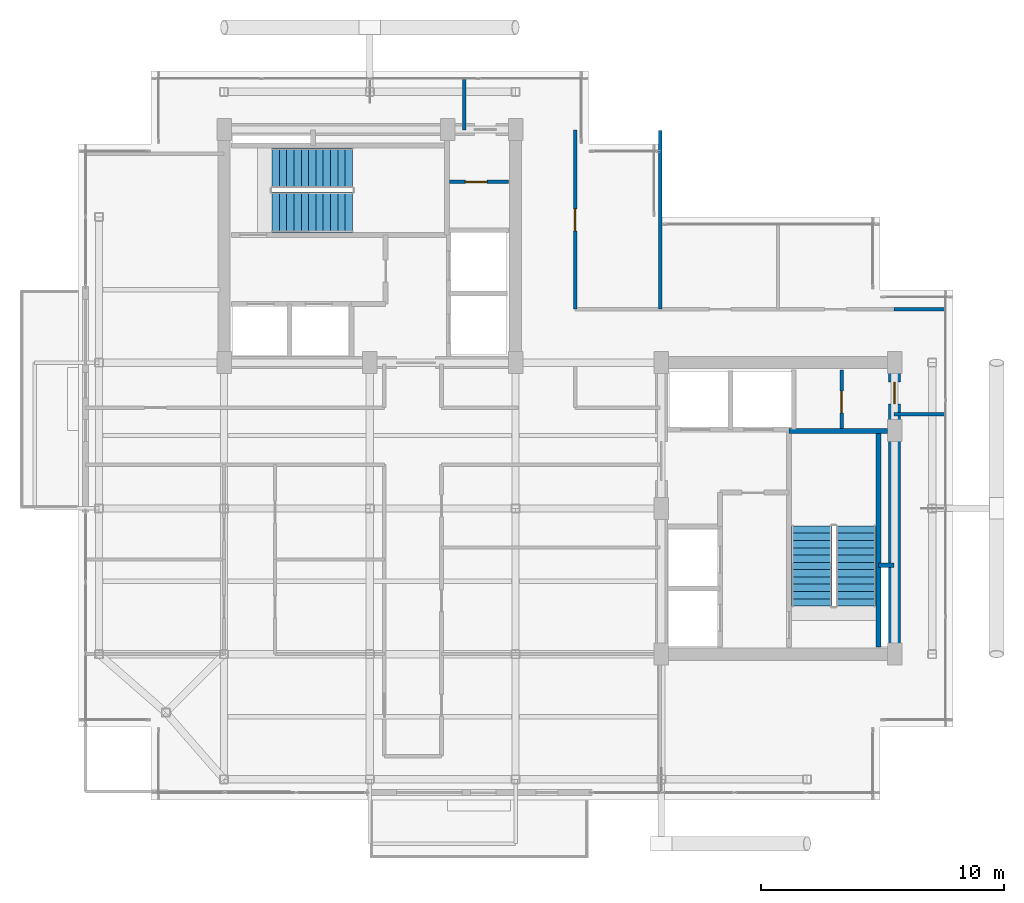
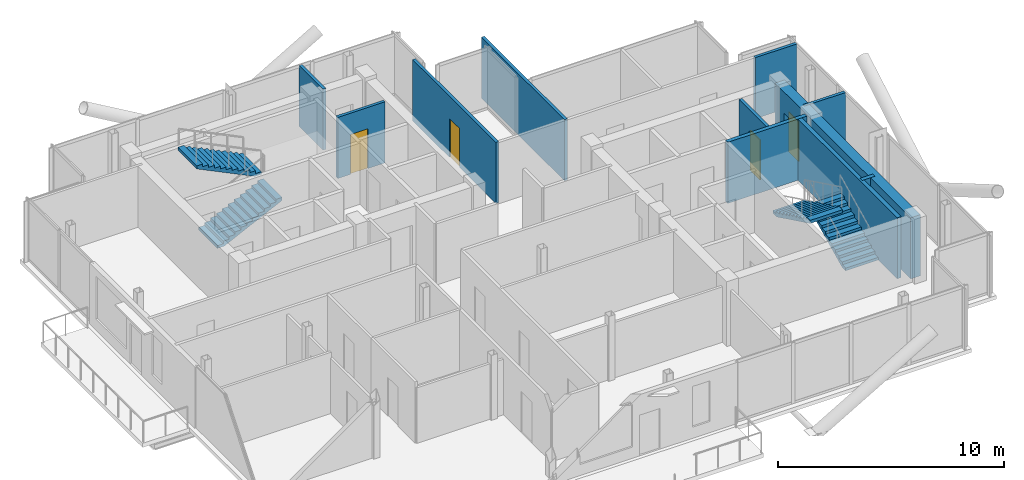
# One storey, part 16 of 18: 11 walls, 4 doors, 4 stair flights, 4 openings, 2 elements without a shape of their own.
"""IFC4 building model written with IfcOpenShell, lengths in metres."""

import ifcopenshell
import ifcopenshell.guid

model = None  # the IFC model being written
_history = None  # IfcOwnerHistory: only IFC2X3 demands one
_inside = {}  # id of a spatial element -> (the spatial element, [elements in it])
_under = {}  # id of a project, library or spatial element -> (it, [spatial elements below it])
_declared = {}  # id of a project -> (the project, [libraries it declares])
_typed = {}  # id of a type object -> (the type object, [elements of that type])
_made_of = {}  # id of a material, layer set ... -> (it, [elements and type objects made of it])


def new_model(schema):
    """Start an empty IFC model of exactly this schema.

    Asked for "IFC4X3", IfcOpenShell would pick the latest addendum, in which some entities
    have other attributes; the version numbers below select the first issue.
    IFC2X3 requires an IfcOwnerHistory on every rooted entity: one is made here for all.
    """
    global model, _history
    if schema == "IFC4X3":
        model = ifcopenshell.file(schema_version=(4, 3, 0, 0))
    else:
        model = ifcopenshell.file(schema=schema)
    _inside.clear()
    _under.clear()
    _declared.clear()
    _typed.clear()
    _made_of.clear()
    _history = None
    if model.schema == "IFC2X3":
        org = make("IfcOrganization", Name="unknown")
        user = make(
            "IfcPersonAndOrganization",
            ThePerson=make("IfcPerson", FamilyName="unknown"),
            TheOrganization=org,
        )
        app = make(
            "IfcApplication",
            ApplicationDeveloper=org,
            Version="unknown",
            ApplicationFullName="unknown",
            ApplicationIdentifier="unknown",
        )
        _history = make(
            "IfcOwnerHistory",
            OwningUser=user,
            OwningApplication=app,
            ChangeAction="ADDED",
            CreationDate=0,
        )
    return model


def make(cls, **values):
    """One entity of the class cls with the attributes given. An attribute that is None is left unset."""
    return model.create_entity(
        cls, **{name: value for name, value in values.items() if value is not None}
    )


def rooted(cls, **values):
    """An entity with a GlobalId (a new one), such as an element, a storey or a relation."""
    return make(cls, GlobalId=ifcopenshell.guid.new(), OwnerHistory=_history, **values)


def si_unit(unit_type, name, prefix=None):
    """IfcSIUnit, for example si_unit("LENGTHUNIT", "METRE", prefix="MILLI")."""
    return make("IfcSIUnit", UnitType=unit_type, Prefix=prefix, Name=name)


def assignment(units):
    """IfcUnitAssignment: the units of a project."""
    return None if units is None else make("IfcUnitAssignment", Units=units)


def point(xyz):
    """IfcCartesianPoint."""
    return None if xyz is None else make("IfcCartesianPoint", Coordinates=xyz)


def direction(xyz):
    """IfcDirection."""
    return None if xyz is None else make("IfcDirection", DirectionRatios=xyz)


def frame(location, z_axis=None, x_axis=None):
    """IfcAxis2Placement3D, a coordinate frame: its origin and axes. An axis left out is left unset."""
    return make(
        "IfcAxis2Placement3D",
        Location=point(location),
        Axis=direction(z_axis),
        RefDirection=direction(x_axis),
    )


def frame_2d(location, x_axis=None):
    """IfcAxis2Placement2D, a coordinate frame in the plane: its origin and x axis."""
    return make(
        "IfcAxis2Placement2D", Location=point(location), RefDirection=direction(x_axis)
    )


def origin():
    """The frame at (0, 0, 0) with its axes left unset."""
    return frame((0.0, 0.0, 0.0))


def place(relative_to, where):
    """IfcLocalPlacement: puts the frame where relative to a parent placement (None: the world)."""
    return make(
        "IfcLocalPlacement", PlacementRelTo=relative_to, RelativePlacement=where
    )


def context(
    kind, dimensions, precision=None, world=None, true_north=None, identifier=None
):
    """IfcGeometricRepresentationContext, for example the 3D "Model" context."""
    return make(
        "IfcGeometricRepresentationContext",
        ContextIdentifier=identifier,
        ContextType=kind,
        CoordinateSpaceDimension=dimensions,
        Precision=precision,
        WorldCoordinateSystem=world,
        TrueNorth=true_north,
    )


def subcontext(parent, identifier, kind, view, scale=None):
    """IfcGeometricRepresentationSubContext, for example "Body" below "Model"."""
    return make(
        "IfcGeometricRepresentationSubContext",
        ContextIdentifier=identifier,
        ContextType=kind,
        ParentContext=parent,
        TargetScale=scale,
        TargetView=view,
    )


def project(units=None, contexts=None):
    """IfcProject with its units and contexts."""
    return rooted(
        "IfcProject",
        Name="project",
        RepresentationContexts=contexts,
        UnitsInContext=assignment(units),
    )


def spatial(cls, under=None, at=None, **own):
    """A site, building, storey or space (cls), placed at a placement, below another one or the project."""
    s = rooted(cls, ObjectPlacement=at, **own)
    if under is not None:
        _under.setdefault(under.id(), (under, []))[1].append(s)
    return s


def polyline(points):
    """IfcPolyline through the points."""
    return make("IfcPolyline", Points=[point(p) for p in points])


def profile(cls, at=None, kind="AREA", **sizes):
    """A parametric profile (cls). Its sizes go by their IFC names, for example OverallWidth=200.0."""
    return make(cls, ProfileType=kind, Position=at, **sizes)


def rectangle(**sizes):
    """IfcRectangleProfileDef."""
    return profile("IfcRectangleProfileDef", **sizes)


def outline(outer, holes=None, kind="AREA"):
    """IfcArbitraryClosedProfileDef: a profile drawn as a closed curve; with holes, ...WithVoids."""
    if holes is None:
        return make("IfcArbitraryClosedProfileDef", ProfileType=kind, OuterCurve=outer)
    return make(
        "IfcArbitraryProfileDefWithVoids",
        ProfileType=kind,
        OuterCurve=outer,
        InnerCurves=holes,
    )


def extrude(swept, where, along, depth):
    """IfcExtrudedAreaSolid: the profile swept, set in the frame where, extruded along a direction by depth."""
    return make(
        "IfcExtrudedAreaSolid",
        SweptArea=swept,
        Position=where,
        ExtrudedDirection=direction(along),
        Depth=depth,
    )


def shape(context_of_items, identifier, shape_type, items):
    """IfcShapeRepresentation: the items that make up one representation, for example the "Body"."""
    return make(
        "IfcShapeRepresentation",
        ContextOfItems=context_of_items,
        RepresentationIdentifier=identifier,
        RepresentationType=shape_type,
        Items=items,
    )


def material(Name=None, Category=None):
    """IfcMaterial."""
    return make("IfcMaterial", Name=Name, Category=Category)


def layer(
    of_material, thickness, ventilated=None, Name=None, Category=None, Priority=None
):
    """IfcMaterialLayer: one layer of a wall or slab, of a material (None: an air gap)."""
    return make(
        "IfcMaterialLayer",
        Material=of_material,
        LayerThickness=thickness,
        IsVentilated=ventilated,
        Name=Name,
        Category=Category,
        Priority=Priority,
    )


def layer_set(layers, Name=None):
    """IfcMaterialLayerSet."""
    return make("IfcMaterialLayerSet", MaterialLayers=layers, LayerSetName=Name)


def made_of(thing, what):
    """Note that an element or type object is made of a material, layer set ...; save() writes the relation."""
    if what is not None:
        _made_of.setdefault(what.id(), (what, []))[1].append(thing)
    return thing


def type_object(cls, material=None, **own):
    """A type object (cls), such as IfcWallType, which elements share."""
    return made_of(rooted(cls, **own), material)


def element(
    cls,
    number,
    at=None,
    inside=None,
    cuts=None,
    type_object=None,
    material=None,
    context=None,
    identifier="Body",
    shape_type=None,
    held_by="IfcProductDefinitionShape",
    body=None,
    shapes=None,
    **own,
):
    """One element of the class cls, such as IfcWall. Its Tag is "e" and its number.

    at: its placement. inside: the storey or other place that contains it. cuts: it is an
    opening in that element (IfcRelVoidsElement). A single representation is given by context,
    identifier, shape_type and body (its items); several are given by shapes. held_by: the class
    of the entity that holds the representations. save() writes the other relations.
    """
    e = rooted(cls, Tag="e%d" % number, ObjectPlacement=at, **own)
    if body is not None:
        shapes = [shape(context, identifier, shape_type, body)]
    if shapes is not None:
        e.Representation = make(held_by, Representations=shapes)
    if inside is not None:
        _inside.setdefault(inside.id(), (inside, []))[1].append(e)
    if cuts is not None:
        rooted(
            "IfcRelVoidsElement", RelatingBuildingElement=cuts, RelatedOpeningElement=e
        )
    if type_object is not None:
        _typed.setdefault(type_object.id(), (type_object, []))[1].append(e)
    return made_of(e, material)


def fill(opening, filler):
    """IfcRelFillsElement: the door or window that sits in an opening."""
    return rooted(
        "IfcRelFillsElement",
        RelatingOpeningElement=opening,
        RelatedBuildingElement=filler,
    )


def aggregate(whole, parts):
    """IfcRelAggregates: a whole, such as a stair, and the parts it consists of."""
    return rooted("IfcRelAggregates", RelatingObject=whole, RelatedObjects=parts)


def save(model, path):
    """Write the relations noted so far, then the file.

    IfcRelAggregates (storeys below a building ...), IfcRelContainedInSpatialStructure (elements
    in a storey), IfcRelDefinesByType, IfcRelAssociatesMaterial and IfcRelDeclares: one each for
    every whole, place, type object, material and project.
    """
    for whole, parts in _under.values():
        aggregate(whole, parts)
    for where, things in _inside.values():
        rooted(
            "IfcRelContainedInSpatialStructure",
            RelatedElements=things,
            RelatingStructure=where,
        )
    for kind, things in _typed.values():
        rooted("IfcRelDefinesByType", RelatedObjects=things, RelatingType=kind)
    for what, things in _made_of.values():
        rooted("IfcRelAssociatesMaterial", RelatedObjects=things, RelatingMaterial=what)
    for by, libraries in _declared.values():
        rooted("IfcRelDeclares", RelatingContext=by, RelatedDefinitions=libraries)
    model.write(path)


model = new_model("IFC4")

# Units and contexts
model_context = context("Model", 3, precision=1e-05, world=origin(), true_north=direction((0.0, 1.0)))
body_context = subcontext(model_context, "Body", "Model", "MODEL_VIEW")
ifc_project = project(units=[si_unit("LENGTHUNIT", "METRE"), si_unit("AREAUNIT", "SQUARE_METRE"), si_unit("VOLUMEUNIT", "CUBIC_METRE"), si_unit("PLANEANGLEUNIT", "RADIAN"), si_unit("MASSUNIT", "GRAM", prefix="KILO"), si_unit("THERMODYNAMICTEMPERATUREUNIT", "KELVIN"), si_unit("POWERUNIT", "WATT")], contexts=[model_context])

# Site, building, storey
site_placement = place(None, origin())
site = spatial("IfcSite", under=ifc_project, at=site_placement, CompositionType="ELEMENT")
building_placement = place(site_placement, origin())
building = spatial("IfcBuilding", under=site, at=building_placement, Name="Svarakhadi Broadcast Tower", CompositionType="ELEMENT")
storey_placement = place(building_placement, frame((0.0, 0.0, 267.699951171875)))
storey = spatial("IfcBuildingStorey", under=building, at=storey_placement, Name="L67", CompositionType="ELEMENT", Elevation=267.699951171875)

# Wall
ifc_material_1 = material(Name="Concrete C40/50 (IS 456 M50)", Category="concrete")
ifc_layer_1 = layer(ifc_material_1, 0.199951171875)
ifc_layer_set_1 = layer_set([ifc_layer_1], Name="Concrete C40/50 (IS 456 M50)")
wall_type_1 = type_object("IfcWallType", Name="Wall_Fire_200", PredefinedType="SOLIDWALL", material=ifc_layer_set_1)
wall_1_placement = place(storey_placement, frame((32.93994140625, 9.659912109375, 0.0), z_axis=(0.0, 0.0, 1.0), x_axis=(1.0, 0.0, 0.0)))
element("IfcWall", 1, at=wall_1_placement, inside=storey, type_object=wall_type_1, Name="L67 HV Busduct Riser Shaft North Wall", PredefinedType="SOLIDWALL", context=body_context, shape_type="SweptSolid", body=[
    extrude(rectangle(XDim=0.64013671875, YDim=0.199951171875, at=frame_2d((0.320068359375, 0.0))), origin(), (0.0, 0.0, 1.0), 3.300048828125),
])

# Wall, opening, door
ifc_material_2 = material(Name="Autoclaved Aerated Concrete Blockwork 150 mm", Category="masonry")
ifc_layer_2 = layer(ifc_material_2, 0.14990234375)
ifc_layer_set_2 = layer_set([ifc_layer_2], Name="Autoclaved Aerated Concrete Blockwork 150 mm")
wall_type_2 = type_object("IfcWallType", Name="Wall_Part_150", PredefinedType="PARTITIONING", material=ifc_layer_set_2)
wall_2_placement = place(storey_placement, frame((15.280029296875, 25.43994140625, 0.0), z_axis=(0.0, 0.0, 1.0), x_axis=(1.0, 0.0, 0.0)))
wall_2 = element("IfcWall", 2, at=wall_2_placement, inside=storey, type_object=wall_type_2, Name="L67 West Core Dual Store Wall", PredefinedType="PARTITIONING", context=body_context, shape_type="SweptSolid", body=[
    extrude(rectangle(XDim=2.419921875, YDim=0.14990234375, at=frame_2d((1.2099609375, 0.0))), origin(), (0.0, 0.0, 1.0), 3.300048828125),
])
opening_1_placement = place(wall_2_placement, frame((0.64990234375, 0.0, 0.0)))
opening_1 = element("IfcOpeningElement", 3, at=opening_1_placement, cuts=wall_2, Name="Opening D-04", PredefinedType="OPENING", context=body_context, shape_type="SweptSolid", body=[
    extrude(rectangle(XDim=0.89990234375, YDim=2.14990234375, at=frame_2d((0.449951171875, 1.074951171875))), frame((0.0, 0.0849609375, 0.0), z_axis=(0.0, -1.0, 0.0), x_axis=(1.0, 0.0, 0.0)), (0.0, 0.0, 1.0), 0.169921875),
])
ifc_material_3 = material(Name="Galvanised Powder-Coated Fire-Rated Steel Leaf", Category="steel")
door_type_1 = type_object("IfcDoorType", Name="Door_Fire_D04", OperationType="SINGLE_SWING_RIGHT", PredefinedType="DOOR", material=ifc_material_3)
door_1_placement = place(opening_1_placement, origin())
door_1 = element("IfcDoor", 4, at=door_1_placement, inside=storey, type_object=door_type_1, Name="L67 West Core Store B Door", OperationType="SINGLE_SWING_RIGHT", OverallHeight=2.14990234375, OverallWidth=0.89990234375, PredefinedType="DOOR", context=body_context, shape_type="SweptSolid", body=[
    extrude(rectangle(XDim=0.89990234375, YDim=2.14990234375, at=frame_2d((0.449951171875, 1.074951171875))), frame((0.0, 0.02490234375, 0.0), z_axis=(0.0, -1.0, 0.0), x_axis=(1.0, 0.0, 0.0)), (0.0, 0.0, 1.0), 0.050048828125),
])
fill(opening_1, door_1)

wall_3_placement = place(storey_placement, frame((31.419921875, 15.280029296875, 0.0), z_axis=(0.0, 0.0, 1.0), x_axis=(0.0, 1.0, 0.0)))
wall_3 = element("IfcWall", 5, at=wall_3_placement, inside=storey, type_object=wall_type_2, Name="L67 East Core Dual Store Wall", PredefinedType="PARTITIONING", context=body_context, shape_type="SweptSolid", body=[
    extrude(rectangle(XDim=2.419921875, YDim=0.14990234375, at=frame_2d((1.2099609375, 0.0))), origin(), (0.0, 0.0, 1.0), 3.300048828125),
])
opening_2_placement = place(wall_3_placement, frame((0.64990234375, 0.0, 0.0)))
opening_2 = element("IfcOpeningElement", 6, at=opening_2_placement, cuts=wall_3, Name="Opening D-03", PredefinedType="OPENING", context=body_context, shape_type="SweptSolid", body=[
    extrude(rectangle(XDim=0.89990234375, YDim=2.14990234375, at=frame_2d((0.449951171875, 1.074951171875))), frame((0.0, 0.0849609375, 0.0), z_axis=(0.0, -1.0, 0.0), x_axis=(1.0, 0.0, 0.0)), (0.0, 0.0, 1.0), 0.169921875),
])
door_type_2 = type_object("IfcDoorType", Name="Door_Fire_D03", OperationType="SINGLE_SWING_LEFT", PredefinedType="DOOR", material=ifc_material_3)
door_2_placement = place(opening_2_placement, origin())
door_2 = element("IfcDoor", 7, at=door_2_placement, inside=storey, type_object=door_type_2, Name="L67 East Core Store B Door", OperationType="SINGLE_SWING_LEFT", OverallHeight=2.14990234375, OverallWidth=0.89990234375, PredefinedType="DOOR", context=body_context, shape_type="SweptSolid", body=[
    extrude(rectangle(XDim=0.89990234375, YDim=2.14990234375, at=frame_2d((0.449951171875, 1.074951171875))), frame((0.0, 0.02490234375, 0.0), z_axis=(0.0, -1.0, 0.0), x_axis=(1.0, 0.0, 0.0)), (0.0, 0.0, 1.0), 0.050048828125),
])
fill(opening_2, door_2)

# Wall
wall_4_placement = place(storey_placement, frame((15.8798828125, 27.580078125, 0.0), z_axis=(0.0, 0.0, 1.0), x_axis=(0.0, 1.0, 0.0)))
element("IfcWall", 8, at=wall_4_placement, inside=storey, type_object=wall_type_2, Name="L67 Upper Tower Concourse Wall", PredefinedType="PARTITIONING", context=body_context, shape_type="SweptSolid", body=[
    extrude(rectangle(XDim=2.119873046875, YDim=0.14990234375, at=frame_2d((1.06005859375, 0.0))), origin(), (0.0, 0.0, 1.0), 3.300048828125),
])

# Wall, opening, door
wall_5_placement = place(storey_placement, frame((20.449951171875, 27.580078125, 0.0), z_axis=(0.0, 0.0, 1.0), x_axis=(0.0, -1.0, 0.0)))
wall_5 = element("IfcWall", 9, at=wall_5_placement, inside=storey, type_object=wall_type_2, Name="L67 Upper Tower Concourse Wall", PredefinedType="PARTITIONING", context=body_context, shape_type="SweptSolid", body=[
    extrude(rectangle(XDim=7.380126953125, YDim=0.14990234375, at=frame_2d((3.68994140625, 0.0))), origin(), (0.0, 0.0, 1.0), 3.300048828125),
])
opening_3_placement = place(wall_5_placement, frame((3.2548828125, 0.0, 0.0)))
opening_3 = element("IfcOpeningElement", 10, at=opening_3_placement, cuts=wall_5, Name="Opening D-13", PredefinedType="OPENING", context=body_context, shape_type="SweptSolid", body=[
    extrude(rectangle(XDim=0.89990234375, YDim=2.10009765625, at=frame_2d((0.449951171875, 1.050048828125))), frame((0.0, 0.0849609375, 0.0), z_axis=(0.0, -1.0, 0.0), x_axis=(1.0, 0.0, 0.0)), (0.0, 0.0, 1.0), 0.169921875),
])
ifc_material_4 = material(Name="Solid-Core Teak Veneer Acoustic Timber Leaf", Category="wood")
door_type_3 = type_object("IfcDoorType", Name="Door_Closet_D13", OperationType="SINGLE_SWING_RIGHT", PredefinedType="DOOR", material=ifc_material_4)
door_3_placement = place(opening_3_placement, origin())
door_3 = element("IfcDoor", 11, at=door_3_placement, inside=storey, type_object=door_type_3, Name="L67 Accessible Visitor Washroom WC Door", OperationType="SINGLE_SWING_RIGHT", OverallHeight=2.10009765625, OverallWidth=0.89990234375, PredefinedType="DOOR", context=body_context, shape_type="SweptSolid", body=[
    extrude(rectangle(XDim=0.89990234375, YDim=2.10009765625, at=frame_2d((0.449951171875, 1.050048828125))), frame((0.0, 0.02490234375, 0.0), z_axis=(0.0, -1.0, 0.0), x_axis=(1.0, 0.0, 0.0)), (0.0, 0.0, 1.0), 0.050048828125),
])
fill(opening_3, door_3)

# Walls
for number, where, z_axis, x_axis, name in (
    (12, (33.580078125, 20.199951171875, 0.0), (0.0, 0.0, 1.0), (1.0, 0.0, 0.0), "L67 Upper Tower Concourse Wall"),
    (13, (35.699951171875, 15.8798828125, 0.0), (0.0, 0.0, 1.0), (-1.0, 0.0, 0.0), "L67 Upper Tower Concourse Wall"),
):
    element("IfcWall", number, at=place(storey_placement, frame(where, z_axis=z_axis, x_axis=x_axis)), inside=storey, type_object=wall_type_2, Name=name, PredefinedType="PARTITIONING", context=body_context, shape_type="SweptSolid", body=[
        extrude(rectangle(XDim=2.119873046875, YDim=0.14990234375, at=frame_2d((1.06005859375, 0.0))), origin(), (0.0, 0.0, 1.0), 3.300048828125),
    ])
wall_6_placement = place(storey_placement, frame((23.949951171875, 20.199951171875, 0.0), z_axis=(0.0, 0.0, 1.0), x_axis=(0.0, 1.0, 0.0)))
element("IfcWall", 14, at=wall_6_placement, inside=storey, type_object=wall_type_2, Name="L67 Accessible Visitor Washroom WC Wall", PredefinedType="PARTITIONING", context=body_context, shape_type="SweptSolid", body=[
    extrude(rectangle(XDim=7.35009765625, YDim=0.14990234375, at=frame_2d((3.675048828125, 0.0))), origin(), (0.0, 0.0, 1.0), 3.300048828125),
])
ifc_material_5 = material(Name="Concrete C50/60 (IS 456 M60)", Category="concrete")
ifc_layer_3 = layer(ifc_material_5, 0.199951171875)
ifc_layer_set_3 = layer_set([ifc_layer_3], Name="Concrete C50/60 (IS 456 M60)")
wall_type_3 = type_object("IfcWallType", Name="Wall_Shear_200", PredefinedType="SHEAR", material=ifc_layer_set_3)
wall_7_placement = place(storey_placement, frame((32.93994140625, 6.300048828125, 0.0), z_axis=(0.0, 0.0, 1.0), x_axis=(0.0, 1.0, 0.0)))
element("IfcWall", 15, at=wall_7_placement, inside=storey, type_object=wall_type_3, Name="L67 Stair ST-02 East RC Shaft Wall", PredefinedType="SHEAR", context=body_context, shape_type="SweptSolid", body=[
    extrude(rectangle(XDim=8.8798828125, YDim=0.199951171875, at=frame_2d((4.43994140625, 0.0))), origin(), (0.0, 0.0, 1.0), 3.300048828125),
])
wall_8_placement = place(storey_placement, frame((29.260009765625, 15.179931640625, 0.0), z_axis=(0.0, 0.0, 1.0), x_axis=(1.0, 0.0, 0.0)))
element("IfcWall", 16, at=wall_8_placement, inside=storey, type_object=wall_type_3, Name="L67 Stair ST-02 North RC Shaft Wall", PredefinedType="SHEAR", context=body_context, shape_type="SweptSolid", body=[
    extrude(rectangle(XDim=4.0400390625, YDim=0.199951171875, at=frame_2d((2.02001953125, 0.0))), origin(), (0.0, 0.0, 1.0), 3.300048828125),
])

# Wall, opening, door
ifc_layer_4 = layer(ifc_material_5, 0.5)
ifc_layer_set_4 = layer_set([ifc_layer_4], Name="Concrete C50/60 (IS 456 M60)")
wall_type_4 = type_object("IfcWallType", Name="Wall_Shear_500", PredefinedType="SHEAR", material=ifc_layer_set_4)
wall_9_placement = place(storey_placement, frame((33.60009765625, 6.0, 0.0), z_axis=(0.0, 0.0, 1.0), x_axis=(0.0, 1.0, 0.0)))
wall_9 = element("IfcWall", 17, at=wall_9_placement, inside=storey, type_object=wall_type_4, Name="L67 East Core East Shear Wall", PredefinedType="SHEAR", context=body_context, shape_type="SweptSolid", body=[
    extrude(rectangle(XDim=12.0, YDim=0.5, at=frame_2d((6.0, 0.0))), origin(), (0.0, 0.0, 1.0), 3.300048828125),
])
opening_4_placement = place(wall_9_placement, frame((10.300048828125, 0.0, 0.0)))
opening_4 = element("IfcOpeningElement", 18, at=opening_4_placement, cuts=wall_9, Name="Opening D-03", PredefinedType="OPENING", context=body_context, shape_type="SweptSolid", body=[
    extrude(rectangle(XDim=0.89990234375, YDim=2.14990234375, at=frame_2d((0.449951171875, 1.074951171875))), frame((0.0, 0.260009765625, 0.0), z_axis=(0.0, -1.0, 0.0), x_axis=(1.0, 0.0, 0.0)), (0.0, 0.0, 1.0), 0.52001953125),
])
door_4_placement = place(opening_4_placement, origin())
door_4 = element("IfcDoor", 19, at=door_4_placement, inside=storey, type_object=door_type_2, Name="L67 East Core Store A Door", OperationType="SINGLE_SWING_LEFT", OverallHeight=2.14990234375, OverallWidth=0.89990234375, PredefinedType="DOOR", context=body_context, shape_type="SweptSolid", body=[
    extrude(rectangle(XDim=0.89990234375, YDim=2.14990234375, at=frame_2d((0.449951171875, 1.074951171875))), frame((0.0, 0.02490234375, 0.0), z_axis=(0.0, -1.0, 0.0), x_axis=(1.0, 0.0, 0.0)), (0.0, 0.0, 1.0), 0.050048828125),
])
fill(opening_4, door_4)

# Stair, stair flights
stair_type = type_object("IfcStairType", Name="Stair_Exit_Core", PredefinedType="HALF_TURN_STAIR", material=ifc_material_1)
stair_1_placement = place(storey_placement, origin())
stair_1 = element("IfcStair", 20, at=stair_1_placement, inside=storey, type_object=stair_type, Name="L67 West Core Protected Exit Stair ST-01", PredefinedType="HALF_TURN_STAIR")
stair_flight_type = type_object("IfcStairFlightType", Name="Flight_RC_1680", PredefinedType="STRAIGHT", material=ifc_material_1)
stair_flight_1_placement = place(storey_placement, frame((7.97998046875, 24.18994140625, 0.0), z_axis=(0.0, 0.0, 1.0), x_axis=(1.0, 0.0, 0.0)))
stair_flight_1 = element("IfcStairFlight", 21, at=stair_flight_1_placement, type_object=stair_flight_type, Name="ST-01 flight 1", NumberOfRisers=12, NumberOfTreads=11, PredefinedType="STRAIGHT", RiserHeight=0.145833333, TreadLength=0.3, context=body_context, shape_type="SweptSolid", body=[
    extrude(outline(polyline([(0.0, 0.0), (0.0, 0.145751953125), (0.300048828125, 0.145751953125), (0.300048828125, 0.291748046875), (0.60009765625, 0.291748046875), (0.60009765625, 0.4375), (0.89990234375, 0.4375), (0.89990234375, 0.583251953125), (1.199951171875, 0.583251953125), (1.199951171875, 0.729248046875), (1.5, 0.729248046875), (1.5, 0.875), (1.800048828125, 0.875), (1.800048828125, 1.020751953125), (2.10009765625, 1.020751953125), (2.10009765625, 1.166748046875), (2.39990234375, 1.166748046875), (2.39990234375, 1.3125), (2.699951171875, 1.3125), (2.699951171875, 1.458251953125), (3.0, 1.458251953125), (3.0, 1.604248046875), (3.300048828125, 1.604248046875), (3.300048828125, 1.75), (3.300048828125, 1.4375), (0.3427734375, 0.0), (0.0, 0.0)])), frame((0.0, 0.830078125, 0.0), z_axis=(0.0, -1.0, 0.0), x_axis=(1.0, 0.0, 0.0)), (0.0, 0.0, 1.0), 1.659912109375),
])
stair_flight_2_placement = place(storey_placement, frame((11.280029296875, 26.010009765625, 1.75), z_axis=(0.0, 0.0, 1.0), x_axis=(-1.0, 0.0, 0.0)))
stair_flight_2 = element("IfcStairFlight", 22, at=stair_flight_2_placement, type_object=stair_flight_type, Name="ST-01 flight 2", NumberOfRisers=12, NumberOfTreads=11, PredefinedType="STRAIGHT", RiserHeight=0.145833333, TreadLength=0.3, context=body_context, shape_type="SweptSolid", body=[
    extrude(outline(polyline([(0.0, 0.0), (0.0, 0.145751953125), (0.300048828125, 0.145751953125), (0.300048828125, 0.291748046875), (0.60009765625, 0.291748046875), (0.60009765625, 0.4375), (0.89990234375, 0.4375), (0.89990234375, 0.583251953125), (1.199951171875, 0.583251953125), (1.199951171875, 0.729248046875), (1.5, 0.729248046875), (1.5, 0.875), (1.800048828125, 0.875), (1.800048828125, 1.020751953125), (2.10009765625, 1.020751953125), (2.10009765625, 1.166748046875), (2.39990234375, 1.166748046875), (2.39990234375, 1.3125), (2.699951171875, 1.3125), (2.699951171875, 1.458251953125), (3.0, 1.458251953125), (3.0, 1.604248046875), (3.300048828125, 1.604248046875), (3.300048828125, 1.75), (3.300048828125, 1.4375), (0.3427734375, 0.0), (0.0, 0.0)])), frame((0.0, 0.830078125, 0.0), z_axis=(0.0, -1.0, 0.0), x_axis=(1.0, 0.0, 0.0)), (0.0, 0.0, 1.0), 1.659912109375),
])
aggregate(stair_1, [stair_flight_1, stair_flight_2])

stair_2_placement = place(storey_placement, origin())
stair_2 = element("IfcStair", 23, at=stair_2_placement, inside=storey, type_object=stair_type, Name="L67 East Core Protected Exit Stair ST-02", PredefinedType="HALF_TURN_STAIR")
stair_flight_3_placement = place(storey_placement, frame((32.010009765625, 7.97998046875, 0.0), z_axis=(0.0, 0.0, 1.0), x_axis=(0.0, 1.0, 0.0)))
stair_flight_3 = element("IfcStairFlight", 24, at=stair_flight_3_placement, type_object=stair_flight_type, Name="ST-02 flight 1", NumberOfRisers=12, NumberOfTreads=11, PredefinedType="STRAIGHT", RiserHeight=0.145833333, TreadLength=0.3, context=body_context, shape_type="SweptSolid", body=[
    extrude(outline(polyline([(0.0, 0.0), (0.0, 0.145751953125), (0.300048828125, 0.145751953125), (0.300048828125, 0.291748046875), (0.60009765625, 0.291748046875), (0.60009765625, 0.4375), (0.89990234375, 0.4375), (0.89990234375, 0.583251953125), (1.199951171875, 0.583251953125), (1.199951171875, 0.729248046875), (1.5, 0.729248046875), (1.5, 0.875), (1.800048828125, 0.875), (1.800048828125, 1.020751953125), (2.10009765625, 1.020751953125), (2.10009765625, 1.166748046875), (2.39990234375, 1.166748046875), (2.39990234375, 1.3125), (2.699951171875, 1.3125), (2.699951171875, 1.458251953125), (3.0, 1.458251953125), (3.0, 1.604248046875), (3.300048828125, 1.604248046875), (3.300048828125, 1.75), (3.300048828125, 1.4375), (0.3427734375, 0.0), (0.0, 0.0)])), frame((0.0, 0.830078125, 0.0), z_axis=(0.0, -1.0, 0.0), x_axis=(1.0, 0.0, 0.0)), (0.0, 0.0, 1.0), 1.659912109375),
])
stair_flight_4_placement = place(storey_placement, frame((30.18994140625, 11.280029296875, 1.75), z_axis=(0.0, 0.0, 1.0), x_axis=(0.0, -1.0, 0.0)))
stair_flight_4 = element("IfcStairFlight", 25, at=stair_flight_4_placement, type_object=stair_flight_type, Name="ST-02 flight 2", NumberOfRisers=12, NumberOfTreads=11, PredefinedType="STRAIGHT", RiserHeight=0.145833333, TreadLength=0.3, context=body_context, shape_type="SweptSolid", body=[
    extrude(outline(polyline([(0.0, 0.0), (0.0, 0.145751953125), (0.300048828125, 0.145751953125), (0.300048828125, 0.291748046875), (0.60009765625, 0.291748046875), (0.60009765625, 0.4375), (0.89990234375, 0.4375), (0.89990234375, 0.583251953125), (1.199951171875, 0.583251953125), (1.199951171875, 0.729248046875), (1.5, 0.729248046875), (1.5, 0.875), (1.800048828125, 0.875), (1.800048828125, 1.020751953125), (2.10009765625, 1.020751953125), (2.10009765625, 1.166748046875), (2.39990234375, 1.166748046875), (2.39990234375, 1.3125), (2.699951171875, 1.3125), (2.699951171875, 1.458251953125), (3.0, 1.458251953125), (3.0, 1.604248046875), (3.300048828125, 1.604248046875), (3.300048828125, 1.75), (3.300048828125, 1.4375), (0.3427734375, 0.0), (0.0, 0.0)])), frame((0.0, 0.830078125, 0.0), z_axis=(0.0, -1.0, 0.0), x_axis=(1.0, 0.0, 0.0)), (0.0, 0.0, 1.0), 1.659912109375),
])
aggregate(stair_2, [stair_flight_3, stair_flight_4])

save(model, "model.ifc")
